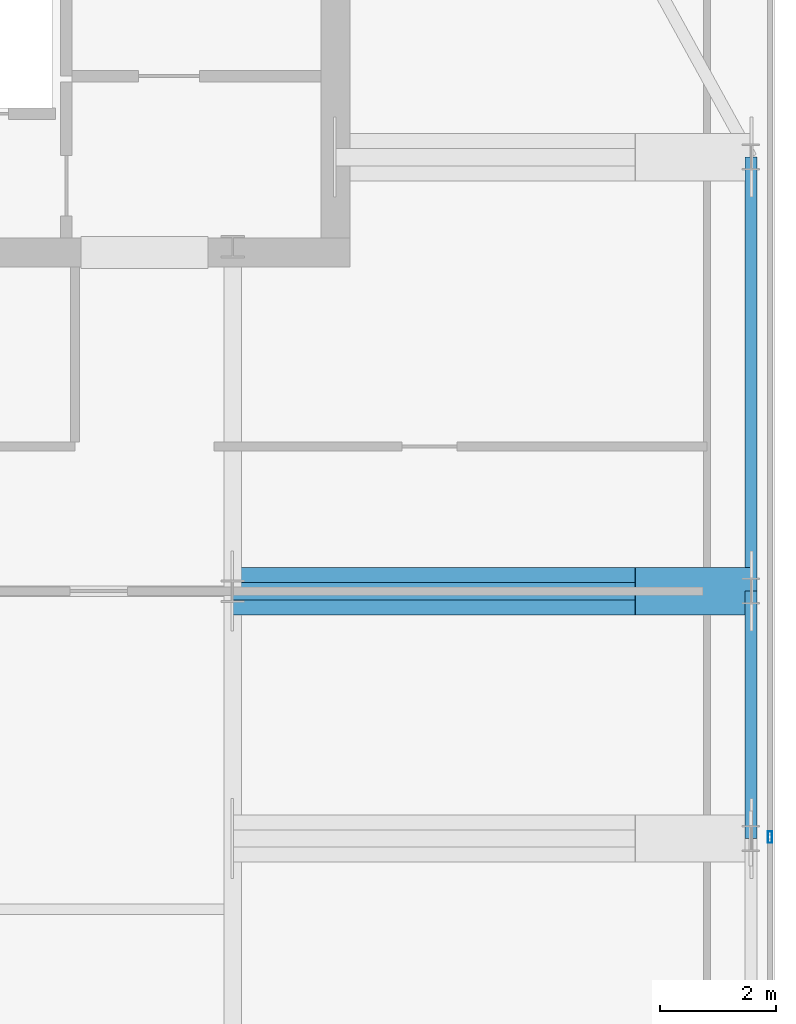
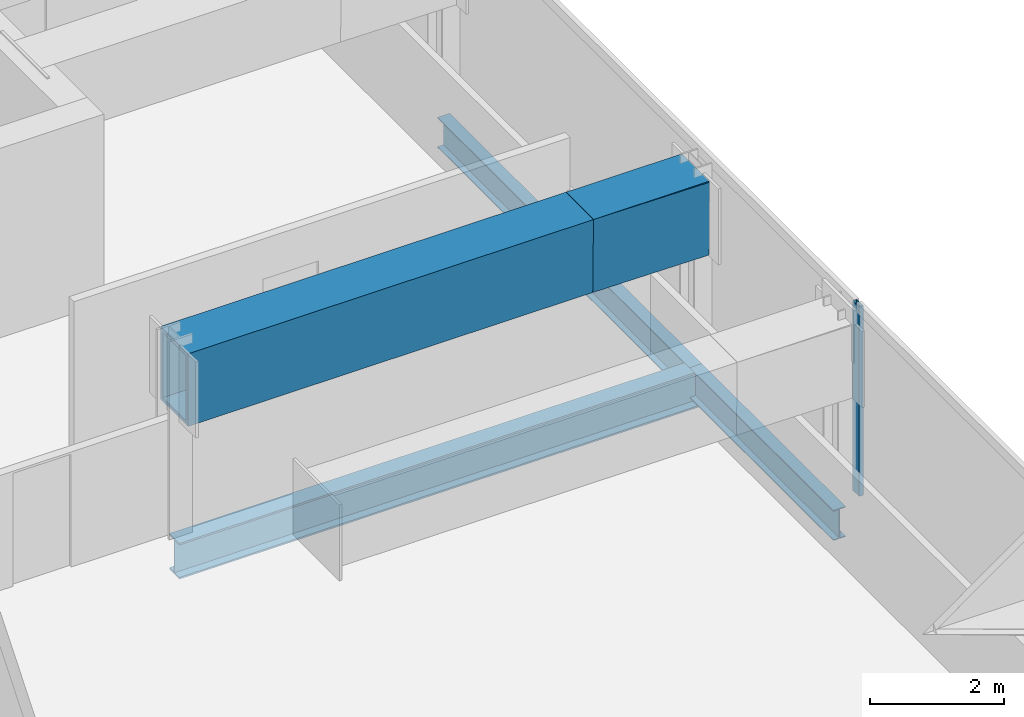
# One storey, part 15 of 26: 5 beams, 1 member, 1 element without a shape of its own.
"""IFC4 building model written with IfcOpenShell, lengths in metres."""

from ifc_helpers import new_model, si_unit, direction, frame, origin, origin_2d, place, context, subcontext, project, spatial, hollow_rectangle, i_section, extrude, material, material_profile, profile_set, type_object, element, aggregate, save


model = new_model("IFC4")

# Units and contexts
model_context = context("Model", 3, precision=1e-05, world=origin(), true_north=direction((0.0, 1.0)))
body_context = subcontext(model_context, "Body", "Model", "MODEL_VIEW")
ifc_project = project(units=[si_unit("LENGTHUNIT", "METRE"), si_unit("AREAUNIT", "SQUARE_METRE"), si_unit("VOLUMEUNIT", "CUBIC_METRE"), si_unit("PLANEANGLEUNIT", "RADIAN"), si_unit("MASSUNIT", "GRAM", prefix="KILO")], contexts=[model_context])

# Site, building, storey
site_placement = place(None, origin())
site = spatial("IfcSite", under=ifc_project, at=site_placement, CompositionType="ELEMENT")
building_placement = place(site_placement, origin())
building = spatial("IfcBuilding", under=site, at=building_placement, Name="Khoronbel Lancet Exchange", CompositionType="ELEMENT")
storey_placement = place(building_placement, frame((0.0, 0.0, 287.800048828125)))
storey = spatial("IfcBuildingStorey", under=building, at=storey_placement, Name="L74", CompositionType="ELEMENT", Elevation=287.800048828125)

# Beams
ifc_material_1 = material(Name="Steel S355", Category="steel")
ifc_material_profile_1 = material_profile(ifc_material_1, i_section(OverallWidth=0.300048828125, OverallDepth=0.64990234375, WebThickness=0.01611328125, FlangeThickness=0.031005859375, at=origin_2d()), Name="HEB 650")
ifc_profile_set_1 = profile_set([ifc_material_profile_1], Name="Steel S355")
beam_type_1 = type_object("IfcBeamType", Name="BM-BG4", PredefinedType="BEAM", material=ifc_profile_set_1)
beam_1_placement = place(storey_placement, frame((54.675048828125, 35.699951171875, -0.485107421875), z_axis=(1.0, 0.0, 0.0), x_axis=(0.0, 1.0, 0.0)))
element("IfcBeam", 1, at=beam_1_placement, inside=storey, type_object=beam_type_1, Name="Level L74 east lens tie girder LG4E", PredefinedType="BEAM", context=body_context, shape_type="SweptSolid", body=[
    extrude(i_section(OverallWidth=0.300048828125, OverallDepth=0.64990234375, WebThickness=0.01611328125, FlangeThickness=0.031005859375, at=origin_2d()), origin(), (0.0, 0.0, 1.0), 8.954833984375),
])
ifc_material_profile_2 = material_profile(ifc_material_1, i_section(OverallWidth=0.2099609375, OverallDepth=0.550048828125, WebThickness=0.010986328125, FlangeThickness=0.01708984375, at=origin_2d()), Name="IPE 550")
ifc_profile_set_2 = profile_set([ifc_material_profile_2], Name="Steel S355")
beam_type_2 = type_object("IfcBeamType", Name="BM-BSP3", PredefinedType="SPANDREL", material=ifc_profile_set_2)
beam_2_placement = place(storey_placement, frame((63.6298828125, 31.425048828125, -0.43505859375), z_axis=(0.0, 1.0, 0.0), x_axis=(-1.0, 0.0, 0.0)))
element("IfcBeam", 2, at=beam_2_placement, inside=storey, type_object=beam_type_2, Name="Level L74 perimeter spandrel beam SP13", PredefinedType="SPANDREL", context=body_context, shape_type="SweptSolid", body=[
    extrude(i_section(OverallWidth=0.2099609375, OverallDepth=0.550048828125, WebThickness=0.010986328125, FlangeThickness=0.01708984375, at=origin_2d()), origin(), (0.0, 0.0, 1.0), 4.27490234375),
])
beam_3_placement = place(storey_placement, frame((63.6298828125, 35.699951171875, -0.43505859375), z_axis=(0.0, 1.0, 0.0), x_axis=(-1.0, 0.0, 0.0)))
element("IfcBeam", 3, at=beam_3_placement, inside=storey, type_object=beam_type_2, Name="Level L74 perimeter spandrel beam SP14", PredefinedType="SPANDREL", context=body_context, shape_type="SweptSolid", body=[
    extrude(i_section(OverallWidth=0.2099609375, OverallDepth=0.550048828125, WebThickness=0.010986328125, FlangeThickness=0.01708984375, at=origin_2d()), origin(), (0.0, 0.0, 1.0), 7.5),
])
ifc_material_2 = material(Name="Steel S460", Category="steel")
ifc_material_profile_3 = material_profile(ifc_material_2, hollow_rectangle(XDim=0.820068359375, YDim=1.320068359375, WallThickness=0.070068359375, at=origin_2d()), Name="BOX 820x1320x70")
ifc_profile_set_3 = profile_set([ifc_material_profile_3], Name="Steel S460")
beam_type_3 = type_object("IfcBeamType", Name="BM-TG4", PredefinedType="USERDEFINED", material=ifc_profile_set_3)
beam_4_placement = place(storey_placement, frame((63.6298828125, 35.699951171875, 2.760009765625), z_axis=(-0.99994990606, 0.0, 0.010009264196), x_axis=(0.0, -1.0, 0.0)))
element("IfcBeam", 4, at=beam_4_placement, inside=storey, type_object=beam_type_3, Name="Setback transfer knee-brace girder L74-EC-3", ObjectType="TRANSFER GIRDER", PredefinedType="USERDEFINED", context=body_context, shape_type="SweptSolid", body=[
    extrude(hollow_rectangle(XDim=0.820068359375, YDim=1.320068359375, WallThickness=0.070068359375, at=origin_2d()), origin(), (0.0, 0.0, 1.0), 2.0),
])
beam_5_placement = place(storey_placement, frame((54.675048828125, 35.699951171875, 2.780029296875), z_axis=(1.0, 0.0, 0.0), x_axis=(0.0, 1.0, 0.0)))
element("IfcBeam", 5, at=beam_5_placement, inside=storey, type_object=beam_type_3, Name="Lens setback S460 transfer girder L74-E4", ObjectType="TRANSFER GIRDER", PredefinedType="USERDEFINED", context=body_context, shape_type="SweptSolid", body=[
    extrude(hollow_rectangle(XDim=0.820068359375, YDim=1.320068359375, WallThickness=0.070068359375, at=origin_2d()), origin(), (0.0, 0.0, 1.0), 8.954833984375),
])

# Curtain wall, member
ifc_material_3 = material(Name="Low-E Solar Control Insulating Glass", Category="glass")
curtain_wall_type = type_object("IfcCurtainWallType", Name="CW-4", PredefinedType="NOTDEFINED", material=ifc_material_3)
curtain_wall_placement = place(storey_placement, origin())
curtain_wall = element("IfcCurtainWall", 6, at=curtain_wall_placement, inside=storey, type_object=curtain_wall_type, Name="Unitised curtain wall CW-L74-E09", PredefinedType="NOTDEFINED")
ifc_material_4 = material(Name="Bronze-Anodised Aluminium 6063-T6", Category="aluminium")
ifc_material_profile_4 = material_profile(ifc_material_4, hollow_rectangle(XDim=0.074951171875, YDim=0.199951171875, WallThickness=0.0048828125, at=origin_2d()), Name="ALU MULLION 75x200")
ifc_profile_set_4 = profile_set([ifc_material_profile_4], Name="Bronze-Anodised Aluminium 6063-T6")
member_type = type_object("IfcMemberType", Name="MEM-CWM2", PredefinedType="MULLION", material=ifc_profile_set_4)
member_placement = place(storey_placement, frame((63.9599609375, 31.449951171875, 0.0), z_axis=(0.0, 0.0, 1.0), x_axis=(1.0, 0.0, 0.0)))
member = element("IfcMember", 7, at=member_placement, type_object=member_type, Name="CW4 mullion 2", PredefinedType="MULLION", context=body_context, shape_type="SweptSolid", body=[
    extrude(hollow_rectangle(XDim=0.074951171875, YDim=0.199951171875, WallThickness=0.0048828125, at=origin_2d()), origin(), (0.0, 0.0, 1.0), 3.43994140625),
])
aggregate(curtain_wall, [member])

save(model, "model.ifc")
